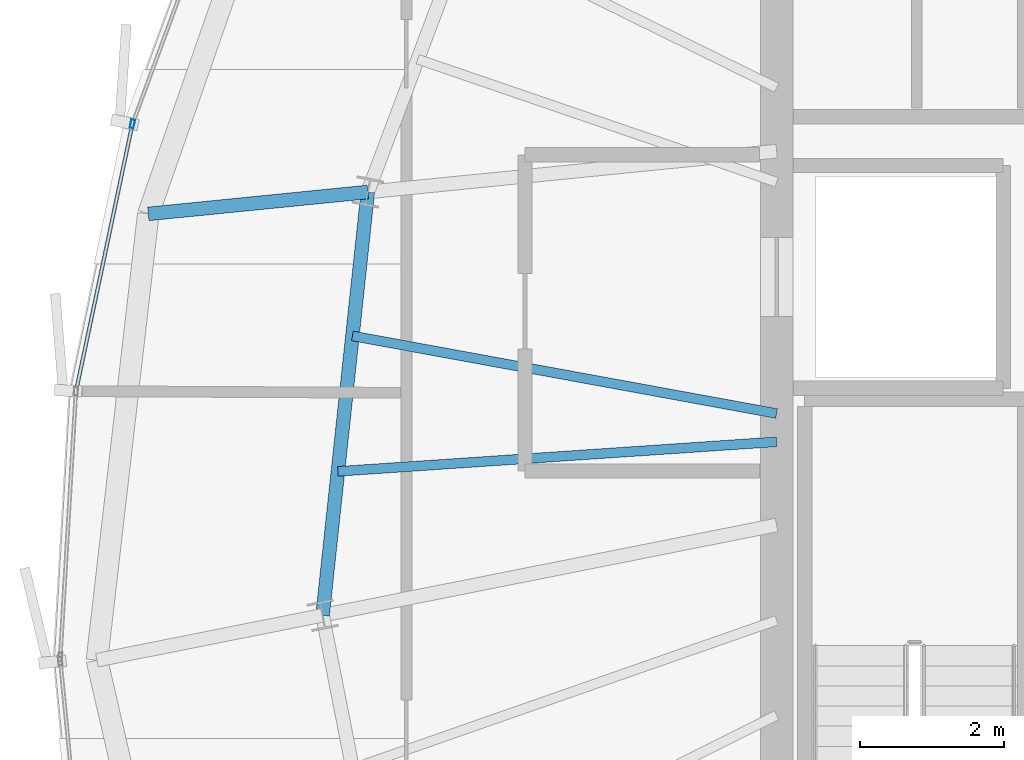
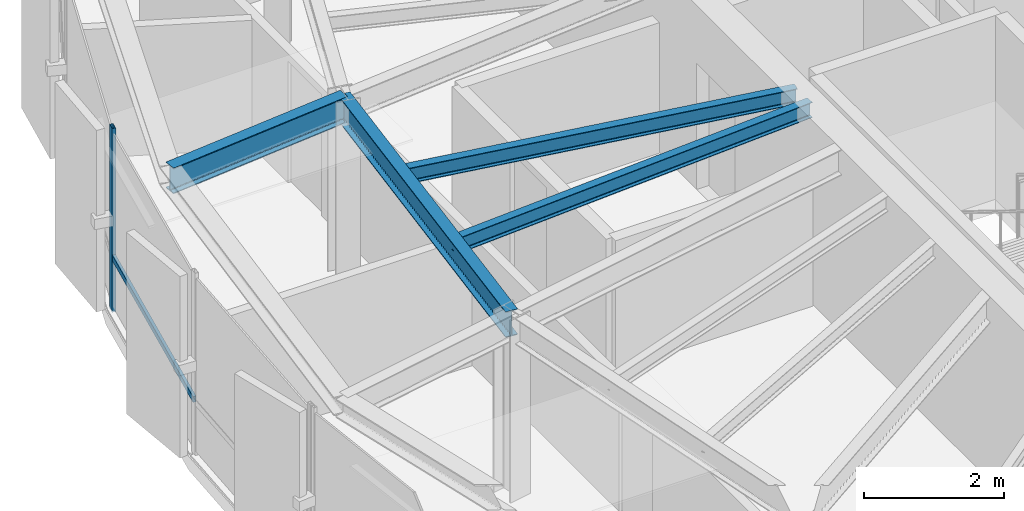
# One storey, part 10 of 30: 4 beams, 2 members, 1 element without a shape of its own.
"""IFC4 building model written with IfcOpenShell, lengths in metres."""

from ifc_helpers import new_model, si_unit, direction, frame, origin, origin_2d, place, context, subcontext, project, spatial, hollow_rectangle, i_section, extrude, source, transform, mapped, material, layer, layer_set, material_profile, profile_set, type_object, element, aggregate, save


model = new_model("IFC4")

# Units and contexts
model_context = context("Model", 3, precision=1e-05, world=origin(), true_north=direction((0.0, 1.0)))
body_context = subcontext(model_context, "Body", "Model", "MODEL_VIEW")
ifc_project = project(units=[si_unit("LENGTHUNIT", "METRE"), si_unit("AREAUNIT", "SQUARE_METRE"), si_unit("VOLUMEUNIT", "CUBIC_METRE"), si_unit("PLANEANGLEUNIT", "RADIAN"), si_unit("MASSUNIT", "GRAM", prefix="KILO"), si_unit("THERMODYNAMICTEMPERATUREUNIT", "KELVIN")], contexts=[model_context])

# Site, building, storey
site_placement = place(None, origin())
site = spatial("IfcSite", under=ifc_project, at=site_placement, CompositionType="ELEMENT")
building_placement = place(site_placement, origin())
building = spatial("IfcBuilding", under=site, at=building_placement, Name="Kethvar Cultural Tower", CompositionType="ELEMENT")
storey_placement = place(building_placement, frame((0.0, 0.0, 297.39990234375)))
storey = spatial("IfcBuildingStorey", under=building, at=storey_placement, Name="L79", CompositionType="ELEMENT", Elevation=297.39990234375)

# Beams
ifc_material_1 = material(Name="Steel S355J2", Category="steel")
ifc_material_profile_1 = material_profile(ifc_material_1, i_section(OverallWidth=0.18994140625, OverallDepth=0.449951171875, WebThickness=0.009521484375, FlangeThickness=0.0146484375, FilletRadius=0.02099609375, at=origin_2d()), Name="Steel S355J2 — IPE450")
ifc_profile_set_1 = profile_set([ifc_material_profile_1], Name="Steel S355J2 — IPE450")
beam_type_1 = type_object("IfcBeamType", Name="BM-IPE450", PredefinedType="BEAM", material=ifc_profile_set_1)
shared_shape_1 = source(origin(), body_context, "Body", "SweptSolid", [
    extrude(i_section(OverallWidth=0.18994140625, OverallDepth=0.449951171875, WebThickness=0.009521484375, FlangeThickness=0.0146484375, FilletRadius=0.02099609375, at=origin_2d()), origin(), (0.0, 0.0, 1.0), 5.92236328125),
])
beam_1_placement = place(storey_placement, frame((32.3125, 30.681884765625, 2.983154296875), z_axis=(-0.106272578913, -0.994337034899, 0.0), x_axis=(0.994337034899, -0.106272578913, 0.0)))
element("IfcBeam", 1, at=beam_1_placement, inside=storey, type_object=beam_type_1, Name="L79 Column Ring Tie Beam CR-08", PredefinedType="BEAM", context=body_context, shape_type="MappedRepresentation", body=[
    mapped(shared_shape_1, transform((0.0, 0.0, 0.0), scale=1.0)),
])
ifc_material_profile_2 = material_profile(ifc_material_1, i_section(OverallWidth=0.135009765625, OverallDepth=0.27001953125, WebThickness=0.006591796875, FlangeThickness=0.01025390625, FilletRadius=0.014892578125, at=origin_2d()), Name="Steel S355J2 — IPE270")
ifc_profile_set_2 = profile_set([ifc_material_profile_2], Name="Steel S355J2 — IPE270")
beam_type_2 = type_object("IfcBeamType", Name="BM-J270", PredefinedType="JOIST", material=ifc_profile_set_2)
shared_shape_2 = source(origin(), body_context, "Body", "SweptSolid", [
    extrude(i_section(OverallWidth=0.135009765625, OverallDepth=0.27001953125, WebThickness=0.006591796875, FlangeThickness=0.01025390625, FilletRadius=0.014892578125, at=origin_2d()), origin(), (0.0, 0.0, 1.0), 5.99951171875),
])
beam_2_placement = place(storey_placement, frame((38.0, 27.60009765625, 3.072998046875), z_axis=(-0.983676616141, 0.179945310742, 0.0), x_axis=(-0.179945310742, -0.983676616141, 0.0)))
element("IfcBeam", 2, at=beam_2_placement, inside=storey, type_object=beam_type_2, Name="L79 Composite Floor Joist J-08A", PredefinedType="JOIST", context=body_context, shape_type="MappedRepresentation", body=[
    mapped(shared_shape_2, transform((0.0, 0.0, 0.0), scale=1.0)),
])
shared_shape_3 = source(origin(), body_context, "Body", "SweptSolid", [
    extrude(i_section(OverallWidth=0.135009765625, OverallDepth=0.27001953125, WebThickness=0.006591796875, FlangeThickness=0.01025390625, FilletRadius=0.014892578125, at=origin_2d()), origin(), (0.0, 0.0, 1.0), 6.116943359375),
])
beam_3_placement = place(storey_placement, frame((38.0, 27.206787109375, 3.072998046875), z_axis=(-0.997733289627, -0.067292516454, 0.0), x_axis=(0.067292516454, -0.997733289627, 0.0)))
element("IfcBeam", 3, at=beam_3_placement, inside=storey, type_object=beam_type_2, Name="L79 Composite Floor Joist J-08B", PredefinedType="JOIST", context=body_context, shape_type="MappedRepresentation", body=[
    mapped(shared_shape_3, transform((0.0, 0.0, 0.0), scale=1.0)),
])
shared_shape_4 = source(origin(), body_context, "Body", "SweptSolid", [
    extrude(i_section(OverallWidth=0.18994140625, OverallDepth=0.449951171875, WebThickness=0.009521484375, FlangeThickness=0.0146484375, FilletRadius=0.02099609375, at=origin_2d()), origin(), (0.0, 0.0, 1.0), 3.068603515625),
])
beam_4_placement = place(storey_placement, frame((32.3125, 30.681884765625, 2.983154296875), z_axis=(-0.995042702663, -0.099448579062, 0.0), x_axis=(0.099448579062, -0.995042702663, 0.0)))
element("IfcBeam", 4, at=beam_4_placement, inside=storey, type_object=beam_type_1, Name="L79 Perimeter Cantilever Beam RC-08", PredefinedType="BEAM", context=body_context, shape_type="MappedRepresentation", body=[
    mapped(shared_shape_4, transform((0.0, 0.0, 0.0), scale=1.0)),
])

# Curtain wall, members
ifc_material_2 = material(Name="Aluminium 6063-T6", Category="aluminium")
ifc_layer = layer(ifc_material_2, 0.179931640625, Name="Aluminium 6063-T6", Category="aluminium")
ifc_layer_set = layer_set([ifc_layer], Name="Aluminium 6063-T6 (180 mm)")
curtain_wall_type = type_object("IfcCurtainWallType", Name="CW-SYS-05-Z56", PredefinedType="NOTDEFINED", material=ifc_layer_set)
curtain_wall_placement = place(storey_placement, origin())
curtain_wall = element("IfcCurtainWall", 5, at=curtain_wall_placement, inside=storey, type_object=curtain_wall_type, Name="L79 Curtain Wall Run 02", PredefinedType="NOTDEFINED")
ifc_material_profile_3 = material_profile(ifc_material_2, hollow_rectangle(XDim=0.054931640625, YDim=0.1201171875, WallThickness=0.00390625, at=origin_2d()), Name="Aluminium 6063-T6 — RHS120x55x4")
ifc_profile_set_3 = profile_set([ifc_material_profile_3], Name="Aluminium 6063-T6 — RHS120x55x4")
member_type_1 = type_object("IfcMemberType", Name="CW-SYS-05-Z56-MUL", PredefinedType="MULLION", material=ifc_profile_set_3)
shared_shape_5 = source(origin(), body_context, "Body", "SweptSolid", [
    extrude(hollow_rectangle(XDim=0.054931640625, YDim=0.1201171875, WallThickness=0.00390625, at=origin_2d()), origin(), (0.0, 0.0, 1.0), 3.210205078125),
])
member_1_placement = place(storey_placement, frame((29.0380859375, 31.628173828125, 0.0), z_axis=(0.0, 0.0, 1.0), x_axis=(0.978465776337, -0.206409119315, 0.0)))
member_1 = element("IfcMember", 6, at=member_1_placement, type_object=member_type_1, Name="CW-L79-R02 Mullion 5", PredefinedType="MULLION", context=body_context, shape_type="MappedRepresentation", body=[
    mapped(shared_shape_5, transform((0.0, 0.0, 0.0), scale=1.0)),
])
ifc_material_profile_4 = material_profile(ifc_material_2, hollow_rectangle(XDim=0.050048828125, YDim=0.10009765625, WallThickness=0.00390625, at=origin_2d()), Name="Aluminium 6063-T6 — RHS100x50x4")
ifc_profile_set_4 = profile_set([ifc_material_profile_4], Name="Aluminium 6063-T6 — RHS100x50x4")
member_type_2 = type_object("IfcMemberType", Name="CW-SYS-05-Z56-TRN", PredefinedType="USERDEFINED", material=ifc_profile_set_4)
shared_shape_6 = source(origin(), body_context, "Body", "SweptSolid", [
    extrude(hollow_rectangle(XDim=0.050048828125, YDim=0.10009765625, WallThickness=0.00390625, at=origin_2d()), origin(), (0.0, 0.0, 1.0), 3.73486328125),
])
member_2_placement = place(storey_placement, frame((29.030029296875, 31.58935546875, 0.9501953125), z_axis=(-0.206438748123, -0.978459525618, 0.0), x_axis=(0.978459525618, -0.206438748123, 0.0)))
member_2 = element("IfcMember", 7, at=member_2_placement, type_object=member_type_2, Name="CW-L79-R02 Transom 5", ObjectType="TRANSOM", PredefinedType="USERDEFINED", context=body_context, shape_type="MappedRepresentation", body=[
    mapped(shared_shape_6, transform((0.0, 0.0, 0.0), scale=1.0)),
])
aggregate(curtain_wall, [member_1, member_2])

save(model, "model.ifc")
